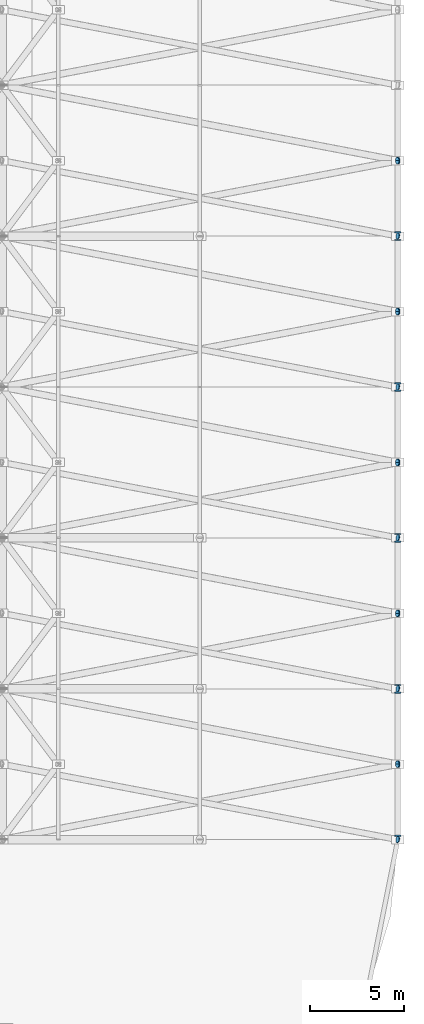
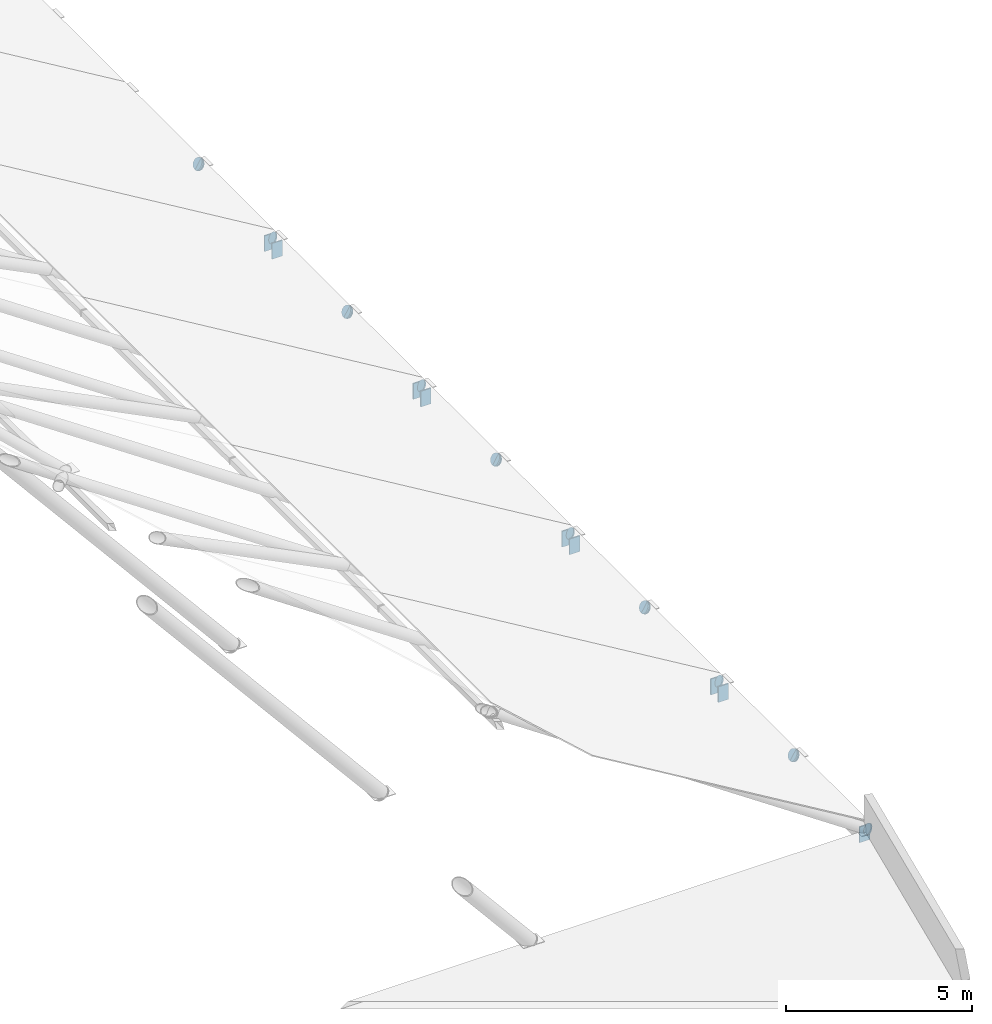
# One storey, part 36 of 44: 24 discrete accessories.
"""IFC4 building model written with IfcOpenShell, lengths in metres."""

from ifc_helpers import new_model, si_unit, direction, frame, origin, origin_2d, place, context, subcontext, project, spatial, rectangle, circle, extrude, material, element, save


model = new_model("IFC4")

# Units and contexts
model_context = context("Model", 3, precision=1e-05, world=origin(), true_north=direction((0.0, 1.0)))
body_context = subcontext(model_context, "Body", "Model", "MODEL_VIEW")
ifc_project = project(units=[si_unit("LENGTHUNIT", "METRE"), si_unit("AREAUNIT", "SQUARE_METRE"), si_unit("VOLUMEUNIT", "CUBIC_METRE"), si_unit("PLANEANGLEUNIT", "RADIAN"), si_unit("MASSUNIT", "GRAM", prefix="KILO")], contexts=[model_context])

# Site, building, storey
site_placement = place(None, origin())
site = spatial("IfcSite", under=ifc_project, at=site_placement, CompositionType="ELEMENT")
building_placement = place(site_placement, origin())
building = spatial("IfcBuilding", under=site, at=building_placement, Name="Marlcrest Central Station", CompositionType="ELEMENT")
storey_placement = place(building_placement, frame((0.0, 0.0, 19.5)))
storey = spatial("IfcBuildingStorey", under=building, at=storey_placement, Name="L04", CompositionType="ELEMENT", Elevation=19.5)

# Discrete accessories
ifc_material = material(Name="Steel S355", Category="steel")
for number, where, z_axis, x_axis, name in (
    (1, (129.0, 22.68505859375, -0.25), (0.0, 1.0, 0.0), (-1.0, 0.0, 0.0), "endcap-bm-SP-03-L04-01237-s"),
    (2, (129.0, 30.275146484375, -0.25), (0.0, 1.0, 0.0), (-1.0, 0.0, 0.0), "endcap-bm-SP-03-L04-01237-e"),
    (3, (129.0, 30.68505859375, -0.25), (0.0, 1.0, 0.0), (-1.0, 0.0, 0.0), "endcap-bm-SP-03-L04-01252-s"),
    (4, (129.0, 38.275146484375, -0.25), (0.0, 1.0, 0.0), (-1.0, 0.0, 0.0), "endcap-bm-SP-03-L04-01252-e"),
    (5, (129.0, 38.68505859375, -0.25), (0.0, 1.0, 0.0), (-1.0, 0.0, 0.0), "endcap-bm-SP-03-L04-01257-s"),
    (6, (129.0, 46.275146484375, -0.25), (0.0, 1.0, 0.0), (-1.0, 0.0, 0.0), "endcap-bm-SP-03-L04-01257-e"),
    (7, (129.0, 46.68505859375, -0.25), (0.0, 1.0, 0.0), (-1.0, 0.0, 0.0), "endcap-bm-SP-03-L04-01262-s"),
    (8, (129.0, 54.275146484375, -0.25), (0.0, 1.0, 0.0), (-1.0, 0.0, 0.0), "endcap-bm-SP-03-L04-01262-e"),
    (9, (129.0, 54.68505859375, -0.25), (0.0, 1.0, 0.0), (-1.0, 0.0, 0.0), "endcap-bm-SP-03-L04-01266-s"),
):
    element("IfcDiscreteAccessory", number, at=place(storey_placement, frame(where, z_axis=z_axis, x_axis=x_axis)), inside=storey, material=ifc_material, Name=name, ObjectType="END_CAP_PLATE", PredefinedType="BRACKET", context=body_context, shape_type="SweptSolid", body=[
        extrude(rectangle(XDim=0.31591796875, YDim=0.51611328125, at=origin_2d()), origin(), (0.0, 0.0, 1.0), 0.0400390625),
    ])
for number, where, z_axis, x_axis, name in (
    (10, (128.978759765625, 26.495849609375, 0.0126953125), (0.846277296716, 0.161195675565, -0.507770313471), (-0.18711210789, 0.982338566422, 0.0), "endcap-mem-FB-01-L04-02391-e"),
    (11, (128.978759765625, 26.504150390625, 0.0126953125), (0.846277296716, -0.161195675565, -0.507770313471), (0.18711210789, 0.982338566422, 0.0), "endcap-mem-FB-01-L04-02392-e"),
):
    element("IfcDiscreteAccessory", number, at=place(storey_placement, frame(where, z_axis=z_axis, x_axis=x_axis)), inside=storey, material=ifc_material, Name=name, ObjectType="END_CAP_PLATE", PredefinedType="BRACKET", context=body_context, shape_type="SweptSolid", body=[
        extrude(circle(Radius=0.185791015625, at=origin_2d()), origin(), (0.0, 0.0, 1.0), 0.0400390625),
    ])
discrete_accessory_1_placement = place(storey_placement, frame((128.978759765625, 22.504150390625, 0.0126953125), z_axis=(0.846277296716, -0.161195675565, -0.507770313471), x_axis=(0.18711210789, 0.982338566422, 0.0)))
element("IfcDiscreteAccessory", 12, at=discrete_accessory_1_placement, inside=storey, material=ifc_material, Name="endcap-mem-FB-02-L04-02393-e", ObjectType="END_CAP_PLATE", PredefinedType="BRACKET", context=body_context, shape_type="SweptSolid", body=[
    extrude(circle(Radius=0.169921875, at=origin_2d()), origin(), (0.0, 0.0, 1.0), 0.0400390625),
])
for number, where, z_axis, x_axis, name in (
    (13, (128.978759765625, 34.495849609375, 0.0126953125), (0.846277296716, 0.161195675565, -0.507770313471), (-0.18711210789, 0.982338566422, 0.0), "endcap-mem-FB-01-L04-02406-e"),
    (14, (128.978759765625, 34.504150390625, 0.0126953125), (0.846277296716, -0.161195675565, -0.507770313471), (0.18711210789, 0.982338566422, 0.0), "endcap-mem-FB-01-L04-02407-e"),
):
    element("IfcDiscreteAccessory", number, at=place(storey_placement, frame(where, z_axis=z_axis, x_axis=x_axis)), inside=storey, material=ifc_material, Name=name, ObjectType="END_CAP_PLATE", PredefinedType="BRACKET", context=body_context, shape_type="SweptSolid", body=[
        extrude(circle(Radius=0.185791015625, at=origin_2d()), origin(), (0.0, 0.0, 1.0), 0.0400390625),
    ])
discrete_accessory_2_placement = place(storey_placement, frame((128.978759765625, 30.504150390625, 0.0126953125), z_axis=(0.846277296716, -0.161195675565, -0.507770313471), x_axis=(0.18711210789, 0.982338566422, 0.0)))
element("IfcDiscreteAccessory", 15, at=discrete_accessory_2_placement, inside=storey, material=ifc_material, Name="endcap-mem-FB-02-L04-02408-e", ObjectType="END_CAP_PLATE", PredefinedType="BRACKET", context=body_context, shape_type="SweptSolid", body=[
    extrude(circle(Radius=0.169921875, at=origin_2d()), origin(), (0.0, 0.0, 1.0), 0.0400390625),
])
for number, where, z_axis, x_axis, name in (
    (16, (128.978759765625, 42.495849609375, 0.0126953125), (0.846277296716, 0.161195675565, -0.507770313471), (-0.18711210789, 0.982338566422, 0.0), "endcap-mem-FB-01-L04-02421-e"),
    (17, (128.978759765625, 42.504150390625, 0.0126953125), (0.846277296716, -0.161195675565, -0.507770313471), (0.18711210789, 0.982338566422, 0.0), "endcap-mem-FB-01-L04-02422-e"),
):
    element("IfcDiscreteAccessory", number, at=place(storey_placement, frame(where, z_axis=z_axis, x_axis=x_axis)), inside=storey, material=ifc_material, Name=name, ObjectType="END_CAP_PLATE", PredefinedType="BRACKET", context=body_context, shape_type="SweptSolid", body=[
        extrude(circle(Radius=0.185791015625, at=origin_2d()), origin(), (0.0, 0.0, 1.0), 0.0400390625),
    ])
discrete_accessory_3_placement = place(storey_placement, frame((128.978759765625, 38.504150390625, 0.0126953125), z_axis=(0.846277296716, -0.161195675565, -0.507770313471), x_axis=(0.18711210789, 0.982338566422, 0.0)))
element("IfcDiscreteAccessory", 18, at=discrete_accessory_3_placement, inside=storey, material=ifc_material, Name="endcap-mem-FB-02-L04-02423-e", ObjectType="END_CAP_PLATE", PredefinedType="BRACKET", context=body_context, shape_type="SweptSolid", body=[
    extrude(circle(Radius=0.169921875, at=origin_2d()), origin(), (0.0, 0.0, 1.0), 0.0400390625),
])
for number, where, z_axis, x_axis, name in (
    (19, (128.978759765625, 50.495849609375, 0.0126953125), (0.846277296716, 0.161195675565, -0.507770313471), (-0.18711210789, 0.982338566422, 0.0), "endcap-mem-FB-01-L04-02436-e"),
    (20, (128.978759765625, 50.504150390625, 0.0126953125), (0.846277296716, -0.161195675565, -0.507770313471), (0.18711210789, 0.982338566422, 0.0), "endcap-mem-FB-01-L04-02437-e"),
):
    element("IfcDiscreteAccessory", number, at=place(storey_placement, frame(where, z_axis=z_axis, x_axis=x_axis)), inside=storey, material=ifc_material, Name=name, ObjectType="END_CAP_PLATE", PredefinedType="BRACKET", context=body_context, shape_type="SweptSolid", body=[
        extrude(circle(Radius=0.185791015625, at=origin_2d()), origin(), (0.0, 0.0, 1.0), 0.0400390625),
    ])
discrete_accessory_4_placement = place(storey_placement, frame((128.978759765625, 46.504150390625, 0.0126953125), z_axis=(0.846277296716, -0.161195675565, -0.507770313471), x_axis=(0.18711210789, 0.982338566422, 0.0)))
element("IfcDiscreteAccessory", 21, at=discrete_accessory_4_placement, inside=storey, material=ifc_material, Name="endcap-mem-FB-02-L04-02438-e", ObjectType="END_CAP_PLATE", PredefinedType="BRACKET", context=body_context, shape_type="SweptSolid", body=[
    extrude(circle(Radius=0.169921875, at=origin_2d()), origin(), (0.0, 0.0, 1.0), 0.0400390625),
])
for number, where, z_axis, x_axis, name in (
    (22, (128.978759765625, 58.495849609375, 0.0126953125), (0.846277296716, 0.161195675565, -0.507770313471), (-0.18711210789, 0.982338566422, 0.0), "endcap-mem-FB-01-L04-02451-e"),
    (23, (128.978759765625, 58.504150390625, 0.0126953125), (0.846277296716, -0.161195675565, -0.507770313471), (0.18711210789, 0.982338566422, 0.0), "endcap-mem-FB-01-L04-02452-e"),
):
    element("IfcDiscreteAccessory", number, at=place(storey_placement, frame(where, z_axis=z_axis, x_axis=x_axis)), inside=storey, material=ifc_material, Name=name, ObjectType="END_CAP_PLATE", PredefinedType="BRACKET", context=body_context, shape_type="SweptSolid", body=[
        extrude(circle(Radius=0.185791015625, at=origin_2d()), origin(), (0.0, 0.0, 1.0), 0.0400390625),
    ])
discrete_accessory_5_placement = place(storey_placement, frame((128.978759765625, 54.504150390625, 0.0126953125), z_axis=(0.846277296716, -0.161195675565, -0.507770313471), x_axis=(0.18711210789, 0.982338566422, 0.0)))
element("IfcDiscreteAccessory", 24, at=discrete_accessory_5_placement, inside=storey, material=ifc_material, Name="endcap-mem-FB-02-L04-02453-e", ObjectType="END_CAP_PLATE", PredefinedType="BRACKET", context=body_context, shape_type="SweptSolid", body=[
    extrude(circle(Radius=0.169921875, at=origin_2d()), origin(), (0.0, 0.0, 1.0), 0.0400390625),
])

save(model, "model.ifc")
